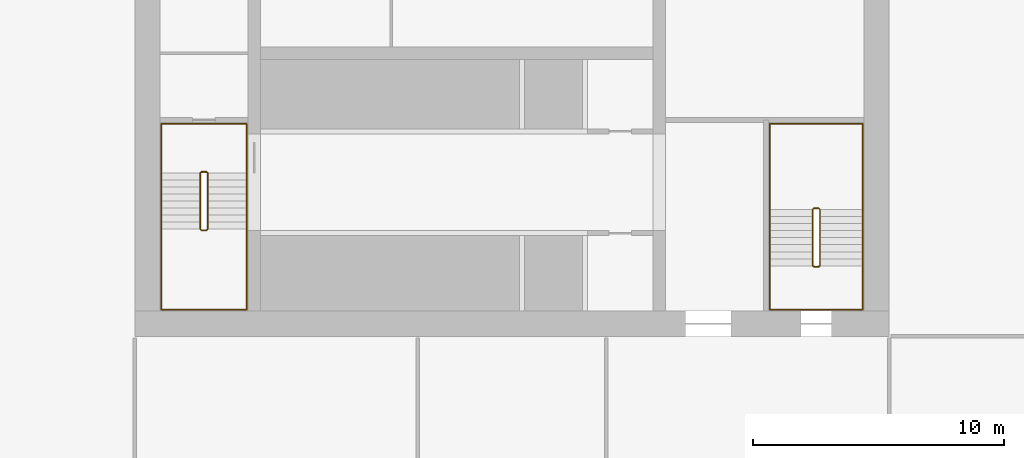
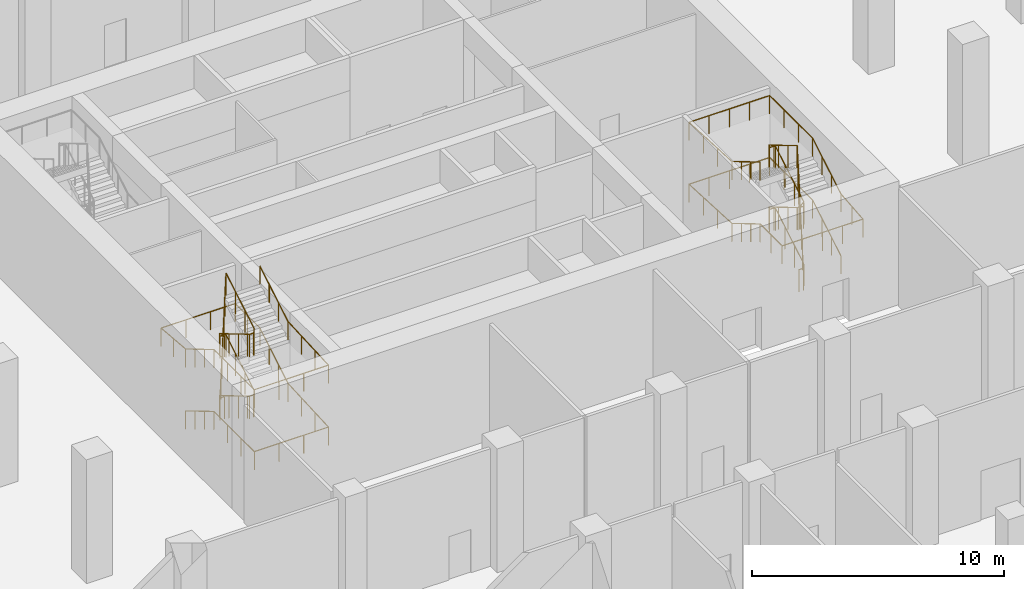
# One storey, part 29 of 45: 4 railings.
"""IFC4 building model written with IfcOpenShell, lengths in metres."""

from ifc_helpers import new_model, si_unit, direction, frame, origin, origin_2d, place, context, subcontext, project, spatial, circle, extrude, material, type_object, element, save


model = new_model("IFC4")

# Units and contexts
model_context = context("Model", 3, precision=1e-05, world=origin(), true_north=direction((0.0, 1.0)))
body_context = subcontext(model_context, "Body", "Model", "MODEL_VIEW")
ifc_project = project(units=[si_unit("LENGTHUNIT", "METRE"), si_unit("AREAUNIT", "SQUARE_METRE"), si_unit("VOLUMEUNIT", "CUBIC_METRE"), si_unit("PLANEANGLEUNIT", "RADIAN"), si_unit("MASSUNIT", "GRAM", prefix="KILO")], contexts=[model_context])

# Site, building, storey
site_placement = place(None, origin())
site = spatial("IfcSite", under=ifc_project, at=site_placement, CompositionType="ELEMENT")
building_placement = place(site_placement, origin())
building = spatial("IfcBuilding", under=site, at=building_placement, Name="Tamorin Gate", CompositionType="ELEMENT")
storey_placement = place(building_placement, frame((0.0, 0.0, -6.0)))
storey = spatial("IfcBuildingStorey", under=building, at=storey_placement, Name="B1", CompositionType="ELEMENT", Elevation=-6.0)

# Railings
ifc_material_1 = material(Name="Painted steel balustrade", Category="steel")
railing_type_1 = type_object("IfcRailingType", Name="Stair guard 1100", PredefinedType="GUARDRAIL", material=ifc_material_1)
railing_1_placement = place(storey_placement, frame((32.60009765625, 66.5, 0.166748046875)))
element("IfcRailing", 1, at=railing_1_placement, inside=storey, type_object=railing_type_1, Name="B1 ST1 stair guard 1", PredefinedType="GUARDRAIL", context=body_context, shape_type="SweptSolid", body=[
    extrude(circle(Radius=0.02392578125, at=origin_2d()), frame((0.0, 0.0, 1.076171875), z_axis=(0.0, -0.859305625298, 0.511462454469), x_axis=(1.0, 0.0, 0.0)), (0.0, 0.0, 1.0), 2.606689453125),
    extrude(circle(Radius=0.02392578125, at=origin_2d()), frame((0.0, -2.239990234375, 2.4091796875), z_axis=(0.705375805398, -0.708833529934, 0.0), x_axis=(0.708833529934, 0.705375805398, 0.0)), (0.0, 0.0, 1.0), 0.070556640625),
    extrude(circle(Radius=0.02392578125, at=origin_2d()), frame((0.0498046875, -2.2900390625, 2.4091796875), z_axis=(1.0, 0.0, 0.0), x_axis=(0.0, 1.0, 0.0)), (0.0, 0.0, 1.0), 0.2001953125),
    extrude(circle(Radius=0.02392578125, at=origin_2d()), frame((0.25, -2.2900390625, 2.4091796875), z_axis=(0.275041040955, 0.276389281352, 0.920848191041), x_axis=(-0.708833529934, 0.705375805398, 0.0)), (0.0, 0.0, 1.0), 0.18115234375),
    extrude(circle(Radius=0.02392578125, at=origin_2d()), frame((0.2998046875, -2.239990234375, 2.576171875), z_axis=(0.0, 0.859305625298, 0.511462454469), x_axis=(-1.0, 0.0, 0.0)), (0.0, 0.0, 1.0), 2.606689453125),
    extrude(circle(Radius=0.02392578125, at=origin_2d()), frame((0.2998046875, 0.0, 3.9091796875), z_axis=(-0.98054382908, 0.196300278283, 0.0), x_axis=(-0.196300278283, -0.98054382908, 0.0)), (0.0, 0.0, 1.0), 0.2548828125),
    extrude(circle(Radius=0.02392578125, at=origin_2d()), frame((0.0498046875, 0.050048828125, 3.9091796875), z_axis=(1.0, 0.0, 0.0), x_axis=(0.0, 1.0, 0.0)), (0.0, 0.0, 1.0), 0.2001953125),
    extrude(circle(Radius=0.02392578125, at=origin_2d()), frame((0.25, 0.050048828125, 3.9091796875), z_axis=(-0.820621892478, -0.164284656209, 0.547348391174), x_axis=(0.196300278283, -0.98054382908, 0.0)), (0.0, 0.0, 1.0), 0.3046875),
    extrude(circle(Radius=0.02392578125, at=origin_2d()), frame((0.0, 0.0, 4.076171875), z_axis=(0.0, -0.859305625298, 0.511462454469), x_axis=(1.0, 0.0, 0.0)), (0.0, 0.0, 1.0), 2.606689453125),
    extrude(circle(Radius=0.02392578125, at=origin_2d()), frame((0.0, -2.239990234375, 5.4091796875), z_axis=(0.705375805398, -0.708833529934, 0.0), x_axis=(0.708833529934, 0.705375805398, 0.0)), (0.0, 0.0, 1.0), 0.070556640625),
    extrude(circle(Radius=0.02392578125, at=origin_2d()), frame((0.0498046875, -2.2900390625, 5.4091796875), z_axis=(1.0, 0.0, 0.0), x_axis=(0.0, 1.0, 0.0)), (0.0, 0.0, 1.0), 0.2001953125),
    extrude(circle(Radius=0.02392578125, at=origin_2d()), frame((0.25, -2.2900390625, 5.4091796875), z_axis=(0.275041040955, 0.276389281352, 0.920848191041), x_axis=(-0.708833529934, 0.705375805398, 0.0)), (0.0, 0.0, 1.0), 0.18115234375),
    extrude(circle(Radius=0.02392578125, at=origin_2d()), frame((0.2998046875, -2.239990234375, 5.576171875), z_axis=(0.0, 0.859305625298, 0.511462454469), x_axis=(-1.0, 0.0, 0.0)), (0.0, 0.0, 1.0), 2.606689453125),
    extrude(circle(Radius=0.02392578125, at=origin_2d()), frame((0.2998046875, 0.0, 6.9091796875), z_axis=(-0.041629098968, 0.008333950477, -0.999098375231), x_axis=(-0.196300278283, -0.98054382908, 0.0)), (0.0, 0.0, 1.0), 6.00537109375),
    extrude(circle(Radius=0.02392578125, at=origin_2d()), frame((0.0498046875, 0.050048828125, 0.9091796875), z_axis=(1.0, 0.0, 0.0), x_axis=(0.0, 1.0, 0.0)), (0.0, 0.0, 1.0), 0.2001953125),
    extrude(circle(Radius=0.02099609375, at=origin_2d()), origin(), (0.0, 0.0, 1.0), 1.052001953125),
    extrude(circle(Radius=0.02099609375, at=origin_2d()), frame((0.0, -0.74658203125, 0.4443359375)), (0.0, 0.0, 1.0), 1.052001953125),
    extrude(circle(Radius=0.02099609375, at=origin_2d()), frame((0.0, -1.493408203125, 0.888916015625)), (0.0, 0.0, 1.0), 1.052001953125),
    extrude(circle(Radius=0.02099609375, at=origin_2d()), frame((0.0, -2.239990234375, 1.333251953125)), (0.0, 0.0, 1.0), 1.052001953125),
    extrude(circle(Radius=0.02099609375, at=origin_2d()), frame((0.0498046875, -2.2900390625, 1.333251953125)), (0.0, 0.0, 1.0), 1.052001953125),
    extrude(circle(Radius=0.02099609375, at=origin_2d()), frame((0.25, -2.2900390625, 1.333251953125)), (0.0, 0.0, 1.0), 1.052001953125),
    extrude(circle(Radius=0.02099609375, at=origin_2d()), frame((0.2998046875, -2.239990234375, 1.5)), (0.0, 0.0, 1.0), 1.052001953125),
    extrude(circle(Radius=0.02099609375, at=origin_2d()), frame((0.2998046875, -1.493408203125, 1.9443359375)), (0.0, 0.0, 1.0), 1.052001953125),
    extrude(circle(Radius=0.02099609375, at=origin_2d()), frame((0.2998046875, -0.74658203125, 2.388916015625)), (0.0, 0.0, 1.0), 1.052001953125),
    extrude(circle(Radius=0.02099609375, at=origin_2d()), frame((0.2998046875, 0.0, 2.833251953125)), (0.0, 0.0, 1.0), 1.052001953125),
    extrude(circle(Radius=0.02099609375, at=origin_2d()), frame((0.0498046875, 0.050048828125, 2.833251953125)), (0.0, 0.0, 1.0), 1.052001953125),
    extrude(circle(Radius=0.02099609375, at=origin_2d()), frame((0.25, 0.050048828125, 2.833251953125)), (0.0, 0.0, 1.0), 1.052001953125),
    extrude(circle(Radius=0.02099609375, at=origin_2d()), frame((0.0, 0.0, 3.0)), (0.0, 0.0, 1.0), 1.052001953125),
    extrude(circle(Radius=0.02099609375, at=origin_2d()), frame((0.0, -0.74658203125, 3.4443359375)), (0.0, 0.0, 1.0), 1.052001953125),
    extrude(circle(Radius=0.02099609375, at=origin_2d()), frame((0.0, -1.493408203125, 3.888916015625)), (0.0, 0.0, 1.0), 1.052001953125),
    extrude(circle(Radius=0.02099609375, at=origin_2d()), frame((0.0, -2.239990234375, 4.333251953125)), (0.0, 0.0, 1.0), 1.052001953125),
    extrude(circle(Radius=0.02099609375, at=origin_2d()), frame((0.0498046875, -2.2900390625, 4.333251953125)), (0.0, 0.0, 1.0), 1.052001953125),
    extrude(circle(Radius=0.02099609375, at=origin_2d()), frame((0.25, -2.2900390625, 4.333251953125)), (0.0, 0.0, 1.0), 1.052001953125),
    extrude(circle(Radius=0.02099609375, at=origin_2d()), frame((0.2998046875, -2.239990234375, 4.5)), (0.0, 0.0, 1.0), 1.052001953125),
    extrude(circle(Radius=0.02099609375, at=origin_2d()), frame((0.2998046875, -1.493408203125, 4.9443359375)), (0.0, 0.0, 1.0), 1.052001953125),
    extrude(circle(Radius=0.02099609375, at=origin_2d()), frame((0.2998046875, -0.74658203125, 5.388916015625)), (0.0, 0.0, 1.0), 1.052001953125),
    extrude(circle(Radius=0.02099609375, at=origin_2d()), frame((0.2998046875, 0.0, 5.833251953125)), (0.0, 0.0, 1.0), 1.052001953125),
    extrude(circle(Radius=0.02099609375, at=origin_2d()), frame((0.258056640625, 0.00830078125, 4.833251953125)), (0.0, 0.0, 1.0), 1.052001953125),
    extrude(circle(Radius=0.02099609375, at=origin_2d()), frame((0.216552734375, 0.0166015625, 3.833251953125)), (0.0, 0.0, 1.0), 1.052001953125),
    extrude(circle(Radius=0.02099609375, at=origin_2d()), frame((0.1748046875, 0.02490234375, 2.833251953125)), (0.0, 0.0, 1.0), 1.052001953125),
    extrude(circle(Radius=0.02099609375, at=origin_2d()), frame((0.133056640625, 0.033447265625, 1.833251953125)), (0.0, 0.0, 1.0), 1.052001953125),
    extrude(circle(Radius=0.02099609375, at=origin_2d()), frame((0.091552734375, 0.041748046875, 0.833251953125)), (0.0, 0.0, 1.0), 1.052001953125),
    extrude(circle(Radius=0.02099609375, at=origin_2d()), frame((0.0498046875, 0.050048828125, -0.166748046875)), (0.0, 0.0, 1.0), 1.052001953125),
    extrude(circle(Radius=0.02099609375, at=origin_2d()), frame((0.25, 0.050048828125, -0.166748046875)), (0.0, 0.0, 1.0), 1.052001953125),
])
railing_2_placement = place(storey_placement, frame((57.25, 62.800048828125, 0.166748046875)))
element("IfcRailing", 2, at=railing_2_placement, inside=storey, type_object=railing_type_1, Name="B1 ST3 stair guard 1", PredefinedType="GUARDRAIL", context=body_context, shape_type="SweptSolid", body=[
    extrude(circle(Radius=0.02392578125, at=origin_2d()), frame((0.0, 0.0, 1.076171875), z_axis=(0.0, 0.859305625298, 0.511462454469), x_axis=(-1.0, 0.0, 0.0)), (0.0, 0.0, 1.0), 2.606689453125),
    extrude(circle(Radius=0.02392578125, at=origin_2d()), frame((0.0, 2.239990234375, 2.4091796875), z_axis=(-0.707106781187, 0.707106781187, 0.0), x_axis=(-0.707106781187, -0.707106781187, 0.0)), (0.0, 0.0, 1.0), 0.07080078125),
    extrude(circle(Radius=0.02392578125, at=origin_2d()), frame((-0.050048828125, 2.2900390625, 2.4091796875), z_axis=(-1.0, 0.0, 0.0), x_axis=(0.0, -1.0, 0.0)), (0.0, 0.0, 1.0), 0.199951171875),
    extrude(circle(Radius=0.02392578125, at=origin_2d()), frame((-0.25, 2.2900390625, 2.4091796875), z_axis=(-0.27628659633, -0.27628659633, 0.920506074601), x_axis=(0.707106781187, -0.707106781187, 0.0)), (0.0, 0.0, 1.0), 0.18115234375),
    extrude(circle(Radius=0.02392578125, at=origin_2d()), frame((-0.300048828125, 2.239990234375, 2.576171875), z_axis=(0.0, -0.859305625298, 0.511462454469), x_axis=(1.0, 0.0, 0.0)), (0.0, 0.0, 1.0), 2.606689453125),
    extrude(circle(Radius=0.02392578125, at=origin_2d()), frame((-0.300048828125, 0.0, 3.9091796875), z_axis=(0.98054382908, -0.196300278283, 0.0), x_axis=(0.196300278283, 0.98054382908, 0.0)), (0.0, 0.0, 1.0), 0.2548828125),
    extrude(circle(Radius=0.02392578125, at=origin_2d()), frame((-0.050048828125, -0.050048828125, 3.9091796875), z_axis=(-1.0, 0.0, 0.0), x_axis=(0.0, -1.0, 0.0)), (0.0, 0.0, 1.0), 0.199951171875),
    extrude(circle(Radius=0.02392578125, at=origin_2d()), frame((-0.25, -0.050048828125, 3.9091796875), z_axis=(0.820621892478, 0.164284656209, 0.547348391174), x_axis=(-0.196300278283, 0.98054382908, 0.0)), (0.0, 0.0, 1.0), 0.3046875),
    extrude(circle(Radius=0.02392578125, at=origin_2d()), frame((0.0, 0.0, 4.076171875), z_axis=(0.0, 0.859305625298, 0.511462454469), x_axis=(-1.0, 0.0, 0.0)), (0.0, 0.0, 1.0), 2.606689453125),
    extrude(circle(Radius=0.02392578125, at=origin_2d()), frame((0.0, 2.239990234375, 5.4091796875), z_axis=(-0.707106781187, 0.707106781187, 0.0), x_axis=(-0.707106781187, -0.707106781187, 0.0)), (0.0, 0.0, 1.0), 0.07080078125),
    extrude(circle(Radius=0.02392578125, at=origin_2d()), frame((-0.050048828125, 2.2900390625, 5.4091796875), z_axis=(-1.0, 0.0, 0.0), x_axis=(0.0, -1.0, 0.0)), (0.0, 0.0, 1.0), 0.199951171875),
    extrude(circle(Radius=0.02392578125, at=origin_2d()), frame((-0.25, 2.2900390625, 5.4091796875), z_axis=(-0.27628659633, -0.27628659633, 0.920506074601), x_axis=(0.707106781187, -0.707106781187, 0.0)), (0.0, 0.0, 1.0), 0.18115234375),
    extrude(circle(Radius=0.02392578125, at=origin_2d()), frame((-0.300048828125, 2.239990234375, 5.576171875), z_axis=(0.0, -0.859305625298, 0.511462454469), x_axis=(1.0, 0.0, 0.0)), (0.0, 0.0, 1.0), 2.606689453125),
    extrude(circle(Radius=0.02392578125, at=origin_2d()), frame((-0.300048828125, 0.0, 6.9091796875), z_axis=(0.041629098968, -0.008333950477, -0.999098375231), x_axis=(0.196300278283, 0.98054382908, 0.0)), (0.0, 0.0, 1.0), 6.00537109375),
    extrude(circle(Radius=0.02392578125, at=origin_2d()), frame((-0.050048828125, -0.050048828125, 0.9091796875), z_axis=(-1.0, 0.0, 0.0), x_axis=(0.0, -1.0, 0.0)), (0.0, 0.0, 1.0), 0.199951171875),
    extrude(circle(Radius=0.02099609375, at=origin_2d()), origin(), (0.0, 0.0, 1.0), 1.052001953125),
    extrude(circle(Radius=0.02099609375, at=origin_2d()), frame((0.0, 0.74658203125, 0.4443359375)), (0.0, 0.0, 1.0), 1.052001953125),
    extrude(circle(Radius=0.02099609375, at=origin_2d()), frame((0.0, 1.493408203125, 0.888916015625)), (0.0, 0.0, 1.0), 1.052001953125),
    extrude(circle(Radius=0.02099609375, at=origin_2d()), frame((0.0, 2.239990234375, 1.333251953125)), (0.0, 0.0, 1.0), 1.052001953125),
    extrude(circle(Radius=0.02099609375, at=origin_2d()), frame((-0.050048828125, 2.2900390625, 1.333251953125)), (0.0, 0.0, 1.0), 1.052001953125),
    extrude(circle(Radius=0.02099609375, at=origin_2d()), frame((-0.25, 2.2900390625, 1.333251953125)), (0.0, 0.0, 1.0), 1.052001953125),
    extrude(circle(Radius=0.02099609375, at=origin_2d()), frame((-0.300048828125, 2.239990234375, 1.5)), (0.0, 0.0, 1.0), 1.052001953125),
    extrude(circle(Radius=0.02099609375, at=origin_2d()), frame((-0.300048828125, 1.493408203125, 1.9443359375)), (0.0, 0.0, 1.0), 1.052001953125),
    extrude(circle(Radius=0.02099609375, at=origin_2d()), frame((-0.300048828125, 0.74658203125, 2.388916015625)), (0.0, 0.0, 1.0), 1.052001953125),
    extrude(circle(Radius=0.02099609375, at=origin_2d()), frame((-0.300048828125, 0.0, 2.833251953125)), (0.0, 0.0, 1.0), 1.052001953125),
    extrude(circle(Radius=0.02099609375, at=origin_2d()), frame((-0.050048828125, -0.050048828125, 2.833251953125)), (0.0, 0.0, 1.0), 1.052001953125),
    extrude(circle(Radius=0.02099609375, at=origin_2d()), frame((-0.25, -0.050048828125, 2.833251953125)), (0.0, 0.0, 1.0), 1.052001953125),
    extrude(circle(Radius=0.02099609375, at=origin_2d()), frame((0.0, 0.0, 3.0)), (0.0, 0.0, 1.0), 1.052001953125),
    extrude(circle(Radius=0.02099609375, at=origin_2d()), frame((0.0, 0.74658203125, 3.4443359375)), (0.0, 0.0, 1.0), 1.052001953125),
    extrude(circle(Radius=0.02099609375, at=origin_2d()), frame((0.0, 1.493408203125, 3.888916015625)), (0.0, 0.0, 1.0), 1.052001953125),
    extrude(circle(Radius=0.02099609375, at=origin_2d()), frame((0.0, 2.239990234375, 4.333251953125)), (0.0, 0.0, 1.0), 1.052001953125),
    extrude(circle(Radius=0.02099609375, at=origin_2d()), frame((-0.050048828125, 2.2900390625, 4.333251953125)), (0.0, 0.0, 1.0), 1.052001953125),
    extrude(circle(Radius=0.02099609375, at=origin_2d()), frame((-0.25, 2.2900390625, 4.333251953125)), (0.0, 0.0, 1.0), 1.052001953125),
    extrude(circle(Radius=0.02099609375, at=origin_2d()), frame((-0.300048828125, 2.239990234375, 4.5)), (0.0, 0.0, 1.0), 1.052001953125),
    extrude(circle(Radius=0.02099609375, at=origin_2d()), frame((-0.300048828125, 1.493408203125, 4.9443359375)), (0.0, 0.0, 1.0), 1.052001953125),
    extrude(circle(Radius=0.02099609375, at=origin_2d()), frame((-0.300048828125, 0.74658203125, 5.388916015625)), (0.0, 0.0, 1.0), 1.052001953125),
    extrude(circle(Radius=0.02099609375, at=origin_2d()), frame((-0.300048828125, 0.0, 5.833251953125)), (0.0, 0.0, 1.0), 1.052001953125),
    extrude(circle(Radius=0.02099609375, at=origin_2d()), frame((-0.25830078125, -0.00830078125, 4.833251953125)), (0.0, 0.0, 1.0), 1.052001953125),
    extrude(circle(Radius=0.02099609375, at=origin_2d()), frame((-0.216796875, -0.0166015625, 3.833251953125)), (0.0, 0.0, 1.0), 1.052001953125),
    extrude(circle(Radius=0.02099609375, at=origin_2d()), frame((-0.175048828125, -0.02490234375, 2.833251953125)), (0.0, 0.0, 1.0), 1.052001953125),
    extrude(circle(Radius=0.02099609375, at=origin_2d()), frame((-0.13330078125, -0.033447265625, 1.833251953125)), (0.0, 0.0, 1.0), 1.052001953125),
    extrude(circle(Radius=0.02099609375, at=origin_2d()), frame((-0.091796875, -0.041748046875, 0.833251953125)), (0.0, 0.0, 1.0), 1.052001953125),
    extrude(circle(Radius=0.02099609375, at=origin_2d()), frame((-0.050048828125, -0.050048828125, -0.166748046875)), (0.0, 0.0, 1.0), 1.052001953125),
    extrude(circle(Radius=0.02099609375, at=origin_2d()), frame((-0.25, -0.050048828125, -0.166748046875)), (0.0, 0.0, 1.0), 1.052001953125),
])
ifc_material_2 = material(Name="Painted steel handrail", Category="steel")
railing_type_2 = type_object("IfcRailingType", Name="Stair handrail 900", PredefinedType="HANDRAIL", material=ifc_material_2)
railing_3_placement = place(storey_placement, frame((31.050048828125, 66.5, 0.166748046875)))
element("IfcRailing", 3, at=railing_3_placement, inside=storey, type_object=railing_type_2, Name="B1 ST1 stair handrail 1", PredefinedType="HANDRAIL", context=body_context, shape_type="SweptSolid", body=[
    extrude(circle(Radius=0.02392578125, at=origin_2d()), frame((0.0, 0.0, 0.8759765625), z_axis=(0.0, -0.859305625298, 0.511462454469), x_axis=(1.0, 0.0, 0.0)), (0.0, 0.0, 1.0), 2.606689453125),
    extrude(circle(Radius=0.02392578125, at=origin_2d()), frame((0.0, -2.239990234375, 2.208984375), z_axis=(0.0, -1.0, 0.0), x_axis=(1.0, 0.0, 0.0)), (0.0, 0.0, 1.0), 3.2099609375),
    extrude(circle(Radius=0.02392578125, at=origin_2d()), frame((0.0, -5.449951171875, 2.208984375), z_axis=(1.0, 0.0, 0.0), x_axis=(0.0, 1.0, 0.0)), (0.0, 0.0, 1.0), 3.39990234375),
    extrude(circle(Radius=0.02392578125, at=origin_2d()), frame((3.39990234375, -5.449951171875, 2.208984375), z_axis=(0.0, 0.998653475843, 0.051877116215), x_axis=(-1.0, 0.0, 0.0)), (0.0, 0.0, 1.0), 3.21435546875),
    extrude(circle(Radius=0.02392578125, at=origin_2d()), frame((3.39990234375, -2.239990234375, 2.3759765625), z_axis=(0.0, 0.859305625298, 0.511462454469), x_axis=(-1.0, 0.0, 0.0)), (0.0, 0.0, 1.0), 2.606689453125),
    extrude(circle(Radius=0.02392578125, at=origin_2d()), frame((3.39990234375, 0.0, 3.708984375), z_axis=(0.0, 1.0, 0.0), x_axis=(-1.0, 0.0, 0.0)), (0.0, 0.0, 1.0), 1.949951171875),
    extrude(circle(Radius=0.02392578125, at=origin_2d()), frame((3.39990234375, 1.949951171875, 3.708984375), z_axis=(-1.0, 0.0, 0.0), x_axis=(0.0, -1.0, 0.0)), (0.0, 0.0, 1.0), 3.39990234375),
    extrude(circle(Radius=0.02392578125, at=origin_2d()), frame((0.0, 1.949951171875, 3.708984375), z_axis=(0.0, -0.996363612883, 0.085202998322), x_axis=(1.0, 0.0, 0.0)), (0.0, 0.0, 1.0), 1.95703125),
    extrude(circle(Radius=0.02392578125, at=origin_2d()), frame((0.0, 0.0, 3.8759765625), z_axis=(0.0, -0.859305625298, 0.511462454469), x_axis=(1.0, 0.0, 0.0)), (0.0, 0.0, 1.0), 2.606689453125),
    extrude(circle(Radius=0.02392578125, at=origin_2d()), frame((0.0, -2.239990234375, 5.208984375), z_axis=(0.0, -1.0, 0.0), x_axis=(1.0, 0.0, 0.0)), (0.0, 0.0, 1.0), 3.2099609375),
    extrude(circle(Radius=0.02392578125, at=origin_2d()), frame((0.0, -5.449951171875, 5.208984375), z_axis=(1.0, 0.0, 0.0), x_axis=(0.0, 1.0, 0.0)), (0.0, 0.0, 1.0), 3.39990234375),
    extrude(circle(Radius=0.02392578125, at=origin_2d()), frame((3.39990234375, -5.449951171875, 5.208984375), z_axis=(0.0, 0.998653475843, 0.051877116215), x_axis=(-1.0, 0.0, 0.0)), (0.0, 0.0, 1.0), 3.21435546875),
    extrude(circle(Radius=0.02392578125, at=origin_2d()), frame((3.39990234375, -2.239990234375, 5.3759765625), z_axis=(0.0, 0.859305625298, 0.511462454469), x_axis=(-1.0, 0.0, 0.0)), (0.0, 0.0, 1.0), 2.606689453125),
    extrude(circle(Radius=0.02099609375, at=origin_2d()), origin(), (0.0, 0.0, 1.0), 0.851806640625),
    extrude(circle(Radius=0.02099609375, at=origin_2d()), frame((0.0, -0.74658203125, 0.4443359375)), (0.0, 0.0, 1.0), 0.851806640625),
    extrude(circle(Radius=0.02099609375, at=origin_2d()), frame((0.0, -1.493408203125, 0.888916015625)), (0.0, 0.0, 1.0), 0.851806640625),
    extrude(circle(Radius=0.02099609375, at=origin_2d()), frame((0.0, -2.239990234375, 1.333251953125)), (0.0, 0.0, 1.0), 0.851806640625),
    extrude(circle(Radius=0.02099609375, at=origin_2d()), frame((0.0, -3.31005859375, 1.333251953125)), (0.0, 0.0, 1.0), 0.851806640625),
    extrude(circle(Radius=0.02099609375, at=origin_2d()), frame((0.0, -4.3798828125, 1.333251953125)), (0.0, 0.0, 1.0), 0.851806640625),
    extrude(circle(Radius=0.02099609375, at=origin_2d()), frame((0.0, -5.449951171875, 1.333251953125)), (0.0, 0.0, 1.0), 0.851806640625),
    extrude(circle(Radius=0.02099609375, at=origin_2d()), frame((1.13330078125, -5.449951171875, 1.333251953125)), (0.0, 0.0, 1.0), 0.851806640625),
    extrude(circle(Radius=0.02099609375, at=origin_2d()), frame((2.2666015625, -5.449951171875, 1.333251953125)), (0.0, 0.0, 1.0), 0.851806640625),
    extrude(circle(Radius=0.02099609375, at=origin_2d()), frame((3.39990234375, -5.449951171875, 1.333251953125)), (0.0, 0.0, 1.0), 0.851806640625),
    extrude(circle(Radius=0.02099609375, at=origin_2d()), frame((3.39990234375, -4.3798828125, 1.388916015625)), (0.0, 0.0, 1.0), 0.851806640625),
    extrude(circle(Radius=0.02099609375, at=origin_2d()), frame((3.39990234375, -3.31005859375, 1.4443359375)), (0.0, 0.0, 1.0), 0.851806640625),
    extrude(circle(Radius=0.02099609375, at=origin_2d()), frame((3.39990234375, -2.239990234375, 1.5)), (0.0, 0.0, 1.0), 0.851806640625),
    extrude(circle(Radius=0.02099609375, at=origin_2d()), frame((3.39990234375, -1.493408203125, 1.9443359375)), (0.0, 0.0, 1.0), 0.851806640625),
    extrude(circle(Radius=0.02099609375, at=origin_2d()), frame((3.39990234375, -0.74658203125, 2.388916015625)), (0.0, 0.0, 1.0), 0.851806640625),
    extrude(circle(Radius=0.02099609375, at=origin_2d()), frame((3.39990234375, 0.0, 2.833251953125)), (0.0, 0.0, 1.0), 0.851806640625),
    extrude(circle(Radius=0.02099609375, at=origin_2d()), frame((3.39990234375, 0.97509765625, 2.833251953125)), (0.0, 0.0, 1.0), 0.851806640625),
    extrude(circle(Radius=0.02099609375, at=origin_2d()), frame((3.39990234375, 1.949951171875, 2.833251953125)), (0.0, 0.0, 1.0), 0.851806640625),
    extrude(circle(Radius=0.02099609375, at=origin_2d()), frame((2.2666015625, 1.949951171875, 2.833251953125)), (0.0, 0.0, 1.0), 0.851806640625),
    extrude(circle(Radius=0.02099609375, at=origin_2d()), frame((1.13330078125, 1.949951171875, 2.833251953125)), (0.0, 0.0, 1.0), 0.851806640625),
    extrude(circle(Radius=0.02099609375, at=origin_2d()), frame((0.0, 1.949951171875, 2.833251953125)), (0.0, 0.0, 1.0), 0.851806640625),
    extrude(circle(Radius=0.02099609375, at=origin_2d()), frame((0.0, 0.97509765625, 2.91650390625)), (0.0, 0.0, 1.0), 0.851806640625),
    extrude(circle(Radius=0.02099609375, at=origin_2d()), frame((0.0, 0.0, 3.0)), (0.0, 0.0, 1.0), 0.851806640625),
    extrude(circle(Radius=0.02099609375, at=origin_2d()), frame((0.0, -0.74658203125, 3.4443359375)), (0.0, 0.0, 1.0), 0.851806640625),
    extrude(circle(Radius=0.02099609375, at=origin_2d()), frame((0.0, -1.493408203125, 3.888916015625)), (0.0, 0.0, 1.0), 0.851806640625),
    extrude(circle(Radius=0.02099609375, at=origin_2d()), frame((0.0, -2.239990234375, 4.333251953125)), (0.0, 0.0, 1.0), 0.851806640625),
    extrude(circle(Radius=0.02099609375, at=origin_2d()), frame((0.0, -3.31005859375, 4.333251953125)), (0.0, 0.0, 1.0), 0.851806640625),
    extrude(circle(Radius=0.02099609375, at=origin_2d()), frame((0.0, -4.3798828125, 4.333251953125)), (0.0, 0.0, 1.0), 0.851806640625),
    extrude(circle(Radius=0.02099609375, at=origin_2d()), frame((0.0, -5.449951171875, 4.333251953125)), (0.0, 0.0, 1.0), 0.851806640625),
    extrude(circle(Radius=0.02099609375, at=origin_2d()), frame((1.13330078125, -5.449951171875, 4.333251953125)), (0.0, 0.0, 1.0), 0.851806640625),
    extrude(circle(Radius=0.02099609375, at=origin_2d()), frame((2.2666015625, -5.449951171875, 4.333251953125)), (0.0, 0.0, 1.0), 0.851806640625),
    extrude(circle(Radius=0.02099609375, at=origin_2d()), frame((3.39990234375, -5.449951171875, 4.333251953125)), (0.0, 0.0, 1.0), 0.851806640625),
    extrude(circle(Radius=0.02099609375, at=origin_2d()), frame((3.39990234375, -4.3798828125, 4.388916015625)), (0.0, 0.0, 1.0), 0.851806640625),
    extrude(circle(Radius=0.02099609375, at=origin_2d()), frame((3.39990234375, -3.31005859375, 4.4443359375)), (0.0, 0.0, 1.0), 0.851806640625),
    extrude(circle(Radius=0.02099609375, at=origin_2d()), frame((3.39990234375, -2.239990234375, 4.5)), (0.0, 0.0, 1.0), 0.851806640625),
    extrude(circle(Radius=0.02099609375, at=origin_2d()), frame((3.39990234375, -1.493408203125, 4.9443359375)), (0.0, 0.0, 1.0), 0.851806640625),
    extrude(circle(Radius=0.02099609375, at=origin_2d()), frame((3.39990234375, -0.74658203125, 5.388916015625)), (0.0, 0.0, 1.0), 0.851806640625),
    extrude(circle(Radius=0.02099609375, at=origin_2d()), frame((3.39990234375, 0.0, 5.833251953125)), (0.0, 0.0, 1.0), 0.851806640625),
])
railing_4_placement = place(storey_placement, frame((58.949951171875, 62.800048828125, 0.166748046875)))
element("IfcRailing", 4, at=railing_4_placement, inside=storey, type_object=railing_type_2, Name="B1 ST3 stair handrail 1", PredefinedType="HANDRAIL", context=body_context, shape_type="SweptSolid", body=[
    extrude(circle(Radius=0.02392578125, at=origin_2d()), frame((0.0, 0.0, 0.8759765625), z_axis=(0.0, 0.859305625298, 0.511462454469), x_axis=(-1.0, 0.0, 0.0)), (0.0, 0.0, 1.0), 2.606689453125),
    extrude(circle(Radius=0.02392578125, at=origin_2d()), frame((0.0, 2.239990234375, 2.208984375), z_axis=(0.0, 1.0, 0.0), x_axis=(-1.0, 0.0, 0.0)), (0.0, 0.0, 1.0), 3.409912109375),
    extrude(circle(Radius=0.02392578125, at=origin_2d()), frame((0.0, 5.64990234375, 2.208984375), z_axis=(-1.0, 0.0, 0.0), x_axis=(0.0, -1.0, 0.0)), (0.0, 0.0, 1.0), 3.699951171875),
    extrude(circle(Radius=0.02392578125, at=origin_2d()), frame((-3.699951171875, 5.64990234375, 2.208984375), z_axis=(0.0, -0.998806487149, 0.048842616934), x_axis=(1.0, 0.0, 0.0)), (0.0, 0.0, 1.0), 3.4140625),
    extrude(circle(Radius=0.02392578125, at=origin_2d()), frame((-3.699951171875, 2.239990234375, 2.3759765625), z_axis=(0.0, -0.859305625298, 0.511462454469), x_axis=(1.0, 0.0, 0.0)), (0.0, 0.0, 1.0), 2.606689453125),
    extrude(circle(Radius=0.02392578125, at=origin_2d()), frame((-3.699951171875, 0.0, 3.708984375), z_axis=(0.0, -1.0, 0.0), x_axis=(1.0, 0.0, 0.0)), (0.0, 0.0, 1.0), 1.75),
    extrude(circle(Radius=0.02392578125, at=origin_2d()), frame((-3.699951171875, -1.75, 3.708984375), z_axis=(1.0, 0.0, 0.0), x_axis=(0.0, 1.0, 0.0)), (0.0, 0.0, 1.0), 3.699951171875),
    extrude(circle(Radius=0.02392578125, at=origin_2d()), frame((0.0, -1.75, 3.708984375), z_axis=(0.0, 0.995491102282, 0.094854969707), x_axis=(-1.0, 0.0, 0.0)), (0.0, 0.0, 1.0), 1.7578125),
    extrude(circle(Radius=0.02392578125, at=origin_2d()), frame((0.0, 0.0, 3.8759765625), z_axis=(0.0, 0.859305625298, 0.511462454469), x_axis=(-1.0, 0.0, 0.0)), (0.0, 0.0, 1.0), 2.606689453125),
    extrude(circle(Radius=0.02392578125, at=origin_2d()), frame((0.0, 2.239990234375, 5.208984375), z_axis=(0.0, 1.0, 0.0), x_axis=(-1.0, 0.0, 0.0)), (0.0, 0.0, 1.0), 3.409912109375),
    extrude(circle(Radius=0.02392578125, at=origin_2d()), frame((0.0, 5.64990234375, 5.208984375), z_axis=(-1.0, 0.0, 0.0), x_axis=(0.0, -1.0, 0.0)), (0.0, 0.0, 1.0), 3.699951171875),
    extrude(circle(Radius=0.02392578125, at=origin_2d()), frame((-3.699951171875, 5.64990234375, 5.208984375), z_axis=(0.0, -0.998806487149, 0.048842616934), x_axis=(1.0, 0.0, 0.0)), (0.0, 0.0, 1.0), 3.4140625),
    extrude(circle(Radius=0.02392578125, at=origin_2d()), frame((-3.699951171875, 2.239990234375, 5.3759765625), z_axis=(0.0, -0.859305625298, 0.511462454469), x_axis=(1.0, 0.0, 0.0)), (0.0, 0.0, 1.0), 2.606689453125),
    extrude(circle(Radius=0.02099609375, at=origin_2d()), origin(), (0.0, 0.0, 1.0), 0.851806640625),
    extrude(circle(Radius=0.02099609375, at=origin_2d()), frame((0.0, 0.74658203125, 0.4443359375)), (0.0, 0.0, 1.0), 0.851806640625),
    extrude(circle(Radius=0.02099609375, at=origin_2d()), frame((0.0, 1.493408203125, 0.888916015625)), (0.0, 0.0, 1.0), 0.851806640625),
    extrude(circle(Radius=0.02099609375, at=origin_2d()), frame((0.0, 2.239990234375, 1.333251953125)), (0.0, 0.0, 1.0), 0.851806640625),
    extrude(circle(Radius=0.02099609375, at=origin_2d()), frame((0.0, 3.376708984375, 1.333251953125)), (0.0, 0.0, 1.0), 0.851806640625),
    extrude(circle(Radius=0.02099609375, at=origin_2d()), frame((0.0, 4.51318359375, 1.333251953125)), (0.0, 0.0, 1.0), 0.851806640625),
    extrude(circle(Radius=0.02099609375, at=origin_2d()), frame((0.0, 5.64990234375, 1.333251953125)), (0.0, 0.0, 1.0), 0.851806640625),
    extrude(circle(Radius=0.02099609375, at=origin_2d()), frame((-0.925048828125, 5.64990234375, 1.333251953125)), (0.0, 0.0, 1.0), 0.851806640625),
    extrude(circle(Radius=0.02099609375, at=origin_2d()), frame((-1.85009765625, 5.64990234375, 1.333251953125)), (0.0, 0.0, 1.0), 0.851806640625),
    extrude(circle(Radius=0.02099609375, at=origin_2d()), frame((-2.77490234375, 5.64990234375, 1.333251953125)), (0.0, 0.0, 1.0), 0.851806640625),
    extrude(circle(Radius=0.02099609375, at=origin_2d()), frame((-3.699951171875, 5.64990234375, 1.333251953125)), (0.0, 0.0, 1.0), 0.851806640625),
    extrude(circle(Radius=0.02099609375, at=origin_2d()), frame((-3.699951171875, 4.51318359375, 1.388916015625)), (0.0, 0.0, 1.0), 0.851806640625),
    extrude(circle(Radius=0.02099609375, at=origin_2d()), frame((-3.699951171875, 3.376708984375, 1.4443359375)), (0.0, 0.0, 1.0), 0.851806640625),
    extrude(circle(Radius=0.02099609375, at=origin_2d()), frame((-3.699951171875, 2.239990234375, 1.5)), (0.0, 0.0, 1.0), 0.851806640625),
    extrude(circle(Radius=0.02099609375, at=origin_2d()), frame((-3.699951171875, 1.493408203125, 1.9443359375)), (0.0, 0.0, 1.0), 0.851806640625),
    extrude(circle(Radius=0.02099609375, at=origin_2d()), frame((-3.699951171875, 0.74658203125, 2.388916015625)), (0.0, 0.0, 1.0), 0.851806640625),
    extrude(circle(Radius=0.02099609375, at=origin_2d()), frame((-3.699951171875, 0.0, 2.833251953125)), (0.0, 0.0, 1.0), 0.851806640625),
    extrude(circle(Radius=0.02099609375, at=origin_2d()), frame((-3.699951171875, -0.875, 2.833251953125)), (0.0, 0.0, 1.0), 0.851806640625),
    extrude(circle(Radius=0.02099609375, at=origin_2d()), frame((-3.699951171875, -1.75, 2.833251953125)), (0.0, 0.0, 1.0), 0.851806640625),
    extrude(circle(Radius=0.02099609375, at=origin_2d()), frame((-2.77490234375, -1.75, 2.833251953125)), (0.0, 0.0, 1.0), 0.851806640625),
    extrude(circle(Radius=0.02099609375, at=origin_2d()), frame((-1.85009765625, -1.75, 2.833251953125)), (0.0, 0.0, 1.0), 0.851806640625),
    extrude(circle(Radius=0.02099609375, at=origin_2d()), frame((-0.925048828125, -1.75, 2.833251953125)), (0.0, 0.0, 1.0), 0.851806640625),
    extrude(circle(Radius=0.02099609375, at=origin_2d()), frame((0.0, -1.75, 2.833251953125)), (0.0, 0.0, 1.0), 0.851806640625),
    extrude(circle(Radius=0.02099609375, at=origin_2d()), frame((0.0, -0.875, 2.91650390625)), (0.0, 0.0, 1.0), 0.851806640625),
    extrude(circle(Radius=0.02099609375, at=origin_2d()), frame((0.0, 0.0, 3.0)), (0.0, 0.0, 1.0), 0.851806640625),
    extrude(circle(Radius=0.02099609375, at=origin_2d()), frame((0.0, 0.74658203125, 3.4443359375)), (0.0, 0.0, 1.0), 0.851806640625),
    extrude(circle(Radius=0.02099609375, at=origin_2d()), frame((0.0, 1.493408203125, 3.888916015625)), (0.0, 0.0, 1.0), 0.851806640625),
    extrude(circle(Radius=0.02099609375, at=origin_2d()), frame((0.0, 2.239990234375, 4.333251953125)), (0.0, 0.0, 1.0), 0.851806640625),
    extrude(circle(Radius=0.02099609375, at=origin_2d()), frame((0.0, 3.376708984375, 4.333251953125)), (0.0, 0.0, 1.0), 0.851806640625),
    extrude(circle(Radius=0.02099609375, at=origin_2d()), frame((0.0, 4.51318359375, 4.333251953125)), (0.0, 0.0, 1.0), 0.851806640625),
    extrude(circle(Radius=0.02099609375, at=origin_2d()), frame((0.0, 5.64990234375, 4.333251953125)), (0.0, 0.0, 1.0), 0.851806640625),
    extrude(circle(Radius=0.02099609375, at=origin_2d()), frame((-0.925048828125, 5.64990234375, 4.333251953125)), (0.0, 0.0, 1.0), 0.851806640625),
    extrude(circle(Radius=0.02099609375, at=origin_2d()), frame((-1.85009765625, 5.64990234375, 4.333251953125)), (0.0, 0.0, 1.0), 0.851806640625),
    extrude(circle(Radius=0.02099609375, at=origin_2d()), frame((-2.77490234375, 5.64990234375, 4.333251953125)), (0.0, 0.0, 1.0), 0.851806640625),
    extrude(circle(Radius=0.02099609375, at=origin_2d()), frame((-3.699951171875, 5.64990234375, 4.333251953125)), (0.0, 0.0, 1.0), 0.851806640625),
    extrude(circle(Radius=0.02099609375, at=origin_2d()), frame((-3.699951171875, 4.51318359375, 4.388916015625)), (0.0, 0.0, 1.0), 0.851806640625),
    extrude(circle(Radius=0.02099609375, at=origin_2d()), frame((-3.699951171875, 3.376708984375, 4.4443359375)), (0.0, 0.0, 1.0), 0.851806640625),
    extrude(circle(Radius=0.02099609375, at=origin_2d()), frame((-3.699951171875, 2.239990234375, 4.5)), (0.0, 0.0, 1.0), 0.851806640625),
    extrude(circle(Radius=0.02099609375, at=origin_2d()), frame((-3.699951171875, 1.493408203125, 4.9443359375)), (0.0, 0.0, 1.0), 0.851806640625),
    extrude(circle(Radius=0.02099609375, at=origin_2d()), frame((-3.699951171875, 0.74658203125, 5.388916015625)), (0.0, 0.0, 1.0), 0.851806640625),
    extrude(circle(Radius=0.02099609375, at=origin_2d()), frame((-3.699951171875, 0.0, 5.833251953125)), (0.0, 0.0, 1.0), 0.851806640625),
])

save(model, "model.ifc")
